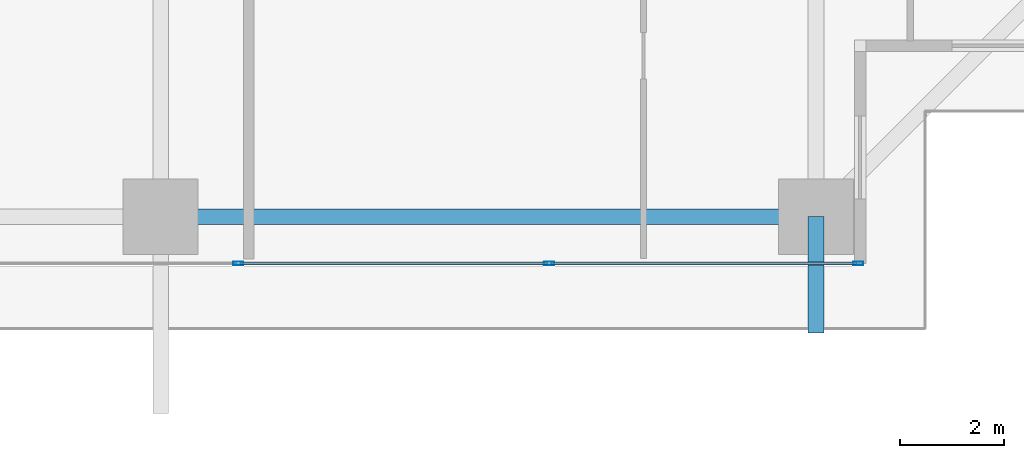
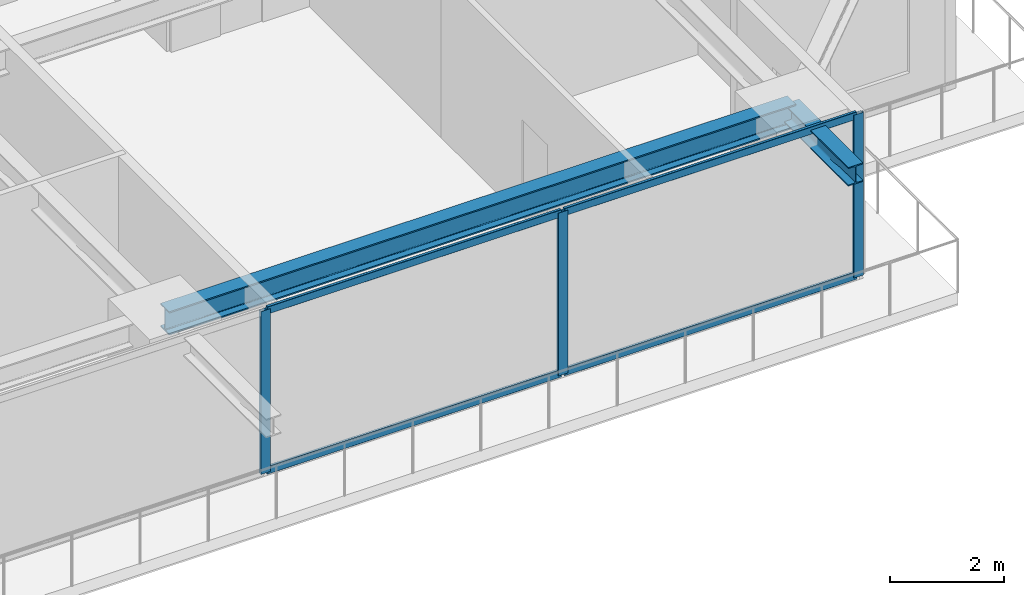
# One storey, part 10 of 35: 7 members, 2 beams, 1 element without a shape of its own.
"""IFC4 building model written with IfcOpenShell, lengths in metres."""

from ifc_helpers import new_model, si_unit, direction, frame, origin, origin_2d, place, context, subcontext, project, spatial, hollow_rectangle, i_section, extrude, source, transform, mapped, material, layer, layer_set, material_profile, profile_set, type_object, element, aggregate, save


model = new_model("IFC4")

# Units and contexts
model_context = context("Model", 3, precision=1e-05, world=origin(), true_north=direction((0.0, 1.0)))
body_context = subcontext(model_context, "Body", "Model", "MODEL_VIEW")
ifc_project = project(units=[si_unit("LENGTHUNIT", "METRE"), si_unit("AREAUNIT", "SQUARE_METRE"), si_unit("VOLUMEUNIT", "CUBIC_METRE"), si_unit("PLANEANGLEUNIT", "RADIAN"), si_unit("MASSUNIT", "GRAM", prefix="KILO")], contexts=[model_context])

# Site, building, storey
site_placement = place(None, origin())
site = spatial("IfcSite", under=ifc_project, at=site_placement, CompositionType="ELEMENT")
building_placement = place(site_placement, origin())
building = spatial("IfcBuilding", under=site, at=building_placement, Name="Serunith Strait Residences", CompositionType="ELEMENT")
storey_placement = place(building_placement, frame((0.0, 0.0, 71.699951171875)))
storey = spatial("IfcBuildingStorey", under=building, at=storey_placement, Name="L17", CompositionType="ELEMENT", Elevation=71.699951171875)

# Beams
ifc_material_1 = material(Name="Steel S355J2", Category="steel")
ifc_material_profile_1 = material_profile(ifc_material_1, i_section(OverallWidth=0.300048828125, OverallDepth=0.5, WebThickness=0.014404296875, FlangeThickness=0.028076171875, FilletRadius=0.027099609375, at=origin_2d()), Name="HEB 500")
ifc_profile_set_1 = profile_set([ifc_material_profile_1], Name="Steel S355J2")
beam_type_1 = type_object("IfcBeamType", Name="BM-HEB500", PredefinedType="BEAM", material=ifc_profile_set_1)
shared_shape_1 = source(origin(), body_context, "Body", "SweptSolid", [
    extrude(i_section(OverallWidth=0.300048828125, OverallDepth=0.5, WebThickness=0.014404296875, FlangeThickness=0.028076171875, FilletRadius=0.027099609375, at=origin_2d()), origin(), (0.0, 0.0, 1.0), 12.650146484375),
])
beam_1_placement = place(storey_placement, frame((36.89990234375, 1.10009765625, 3.237060546875), z_axis=(1.0, 0.0, 0.0), x_axis=(0.0, 1.0, 0.0)))
element("IfcBeam", 1, at=beam_1_placement, inside=storey, type_object=beam_type_1, Name="L17 Perimeter Ring Beam 03", PredefinedType="BEAM", context=body_context, shape_type="MappedRepresentation", body=[
    mapped(shared_shape_1, transform((0.0, 0.0, 0.0), scale=1.0)),
])
ifc_material_profile_2 = material_profile(ifc_material_1, i_section(OverallWidth=0.300048828125, OverallDepth=0.39990234375, WebThickness=0.013427734375, FlangeThickness=0.02392578125, FilletRadius=0.027099609375, at=origin_2d()), Name="HEB 400")
ifc_profile_set_2 = profile_set([ifc_material_profile_2], Name="Steel S355J2")
beam_type_2 = type_object("IfcBeamType", Name="BM-HEB400", PredefinedType="BEAM", material=ifc_profile_set_2)
shared_shape_2 = source(origin(), body_context, "Body", "SweptSolid", [
    extrude(i_section(OverallWidth=0.300048828125, OverallDepth=0.39990234375, WebThickness=0.013427734375, FlangeThickness=0.02392578125, FilletRadius=0.027099609375, at=origin_2d()), origin(), (0.0, 0.0, 1.0), 2.242919921875),
])
beam_2_placement = place(storey_placement, frame((49.550048828125, 1.10009765625, 3.257080078125), z_axis=(0.0, -1.0, 0.0), x_axis=(1.0, 0.0, 0.0)))
element("IfcBeam", 2, at=beam_2_placement, inside=storey, type_object=beam_type_2, Name="L18 Cantilevered Balcony Rib TC-S4", PredefinedType="BEAM", context=body_context, shape_type="MappedRepresentation", body=[
    mapped(shared_shape_2, transform((0.0, 0.0, 0.0), scale=1.0)),
])

# Curtain wall, members
ifc_material_2 = material(Name="Pale-Champagne Anodised Aluminium", Category="aluminium")
ifc_layer = layer(ifc_material_2, 0.199951171875, Name="Pale-Champagne Anodised Aluminium")
ifc_layer_set = layer_set([ifc_layer], Name="Pale-Champagne Anodised Aluminium")
curtain_wall_type = type_object("IfcCurtainWallType", Name="CW-SYS1", PredefinedType="NOTDEFINED", material=ifc_layer_set)
curtain_wall_placement = place(storey_placement, origin())
curtain_wall = element("IfcCurtainWall", 3, at=curtain_wall_placement, inside=storey, type_object=curtain_wall_type, Name="L17 S Unitised Fritted Curtain Wall", PredefinedType="NOTDEFINED")
ifc_material_profile_3 = material_profile(ifc_material_2, hollow_rectangle(XDim=0.070068359375, YDim=0.199951171875, WallThickness=0.00390625, InnerFilletRadius=0.006103515625, OuterFilletRadius=0.010009765625, at=origin_2d()), Name="ALU 200x70x4")
ifc_profile_set_3 = profile_set([ifc_material_profile_3], Name="Pale-Champagne Anodised Aluminium")
member_type_1 = type_object("IfcMemberType", Name="CW-SYS1-MULL", PredefinedType="MULLION", material=ifc_profile_set_3)
shared_shape_3 = source(origin(), body_context, "Body", "SweptSolid", [
    extrude(hollow_rectangle(XDim=0.070068359375, YDim=0.199951171875, WallThickness=0.00390625, InnerFilletRadius=0.006103515625, OuterFilletRadius=0.010009765625, at=origin_2d()), origin(), (0.0, 0.0, 1.0), 3.47509765625),
])
member_1_placement = place(storey_placement, frame((38.39990234375, 0.199951171875, 0.0), z_axis=(0.0, 0.0, 1.0), x_axis=(0.0, 1.0, 0.0)))
member_1 = element("IfcMember", 4, at=member_1_placement, type_object=member_type_1, Name="CW-1 mullion 5", PredefinedType="MULLION", context=body_context, shape_type="MappedRepresentation", body=[
    mapped(shared_shape_3, transform((0.0, 0.0, 0.0), scale=1.0)),
])
member_2_placement = place(storey_placement, frame((44.39990234375, 0.199951171875, 0.0), z_axis=(0.0, 0.0, 1.0), x_axis=(0.0, 1.0, 0.0)))
member_2 = element("IfcMember", 5, at=member_2_placement, type_object=member_type_1, Name="CW-1 mullion 6", PredefinedType="MULLION", context=body_context, shape_type="MappedRepresentation", body=[
    mapped(shared_shape_3, transform((0.0, 0.0, 0.0), scale=1.0)),
])
member_3_placement = place(storey_placement, frame((50.364990234375, 0.199951171875, 0.0), z_axis=(0.0, 0.0, 1.0), x_axis=(0.0, 1.0, 0.0)))
member_3 = element("IfcMember", 6, at=member_3_placement, type_object=member_type_1, Name="CW-1 mullion 7", PredefinedType="MULLION", context=body_context, shape_type="MappedRepresentation", body=[
    mapped(shared_shape_3, transform((0.0, 0.0, 0.0), scale=1.0)),
])
ifc_material_profile_4 = material_profile(ifc_material_2, hollow_rectangle(XDim=0.06005859375, YDim=0.159912109375, WallThickness=0.00341796875, InnerFilletRadius=0.00537109375, OuterFilletRadius=0.0087890625, at=origin_2d()), Name="ALU 160x60x3.5")
ifc_profile_set_4 = profile_set([ifc_material_profile_4], Name="Pale-Champagne Anodised Aluminium")
member_type_2 = type_object("IfcMemberType", Name="CW-SYS1-TRAN", PredefinedType="USERDEFINED", material=ifc_profile_set_4)
shared_shape_4 = source(origin(), body_context, "Body", "SweptSolid", [
    extrude(hollow_rectangle(XDim=0.06005859375, YDim=0.159912109375, WallThickness=0.00341796875, InnerFilletRadius=0.00537109375, OuterFilletRadius=0.0087890625, at=origin_2d()), origin(), (0.0, 0.0, 1.0), 5.89501953125),
])
member_4_placement = place(storey_placement, frame((44.43505859375, 0.199951171875, 0.030029296875), z_axis=(1.0, 0.0, 0.0), x_axis=(0.0, 1.0, 0.0)))
member_4 = element("IfcMember", 7, at=member_4_placement, type_object=member_type_2, Name="CW-1 transom 6.1", ObjectType="TRANSOM", PredefinedType="USERDEFINED", context=body_context, shape_type="MappedRepresentation", body=[
    mapped(shared_shape_4, transform((0.0, 0.0, 0.0), scale=1.0)),
])
member_5_placement = place(storey_placement, frame((44.43505859375, 0.199951171875, 3.445068359375), z_axis=(1.0, 0.0, 0.0), x_axis=(0.0, 1.0, 0.0)))
member_5 = element("IfcMember", 8, at=member_5_placement, type_object=member_type_2, Name="CW-1 transom 6.2", ObjectType="TRANSOM", PredefinedType="USERDEFINED", context=body_context, shape_type="MappedRepresentation", body=[
    mapped(shared_shape_4, transform((0.0, 0.0, 0.0), scale=1.0)),
])
shared_shape_5 = source(origin(), body_context, "Body", "SweptSolid", [
    extrude(hollow_rectangle(XDim=0.06005859375, YDim=0.159912109375, WallThickness=0.00341796875, InnerFilletRadius=0.00537109375, OuterFilletRadius=0.0087890625, at=origin_2d()), origin(), (0.0, 0.0, 1.0), 5.929931640625),
])
member_6_placement = place(storey_placement, frame((38.43505859375, 0.199951171875, 0.030029296875), z_axis=(1.0, 0.0, 0.0), x_axis=(0.0, 1.0, 0.0)))
member_6 = element("IfcMember", 9, at=member_6_placement, type_object=member_type_2, Name="CW-1 transom 5.1", ObjectType="TRANSOM", PredefinedType="USERDEFINED", context=body_context, shape_type="MappedRepresentation", body=[
    mapped(shared_shape_5, transform((0.0, 0.0, 0.0), scale=1.0)),
])
member_7_placement = place(storey_placement, frame((38.43505859375, 0.199951171875, 3.445068359375), z_axis=(1.0, 0.0, 0.0), x_axis=(0.0, 1.0, 0.0)))
member_7 = element("IfcMember", 10, at=member_7_placement, type_object=member_type_2, Name="CW-1 transom 5.2", ObjectType="TRANSOM", PredefinedType="USERDEFINED", context=body_context, shape_type="MappedRepresentation", body=[
    mapped(shared_shape_5, transform((0.0, 0.0, 0.0), scale=1.0)),
])
aggregate(curtain_wall, [member_1, member_2, member_3, member_6, member_7, member_4, member_5])

save(model, "model.ifc")
